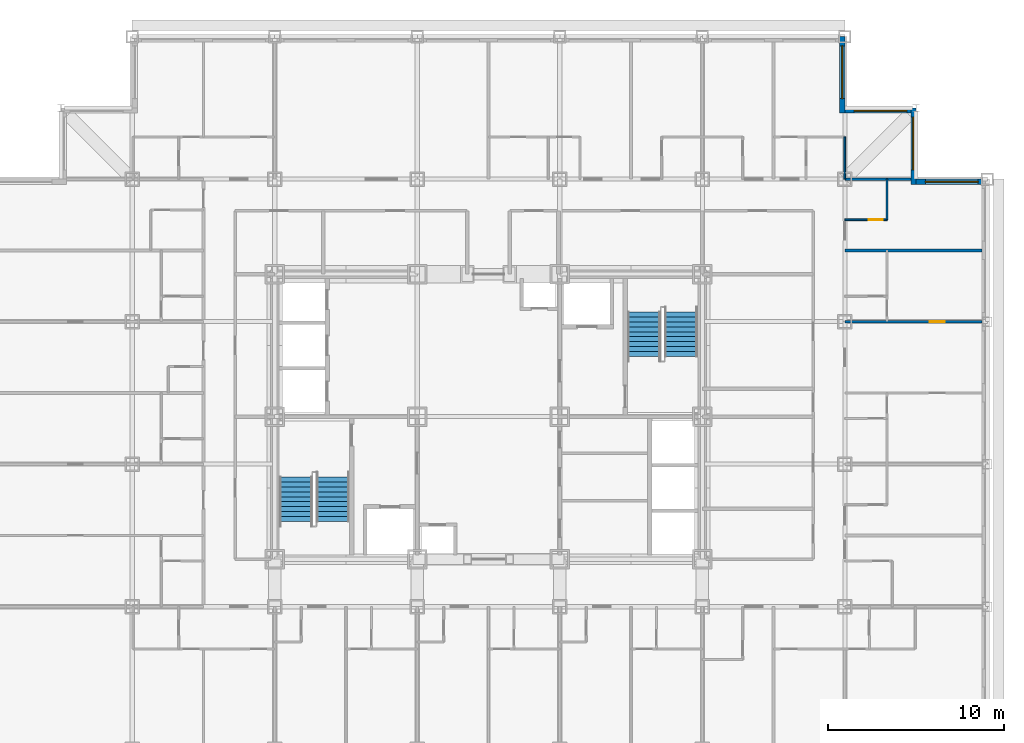
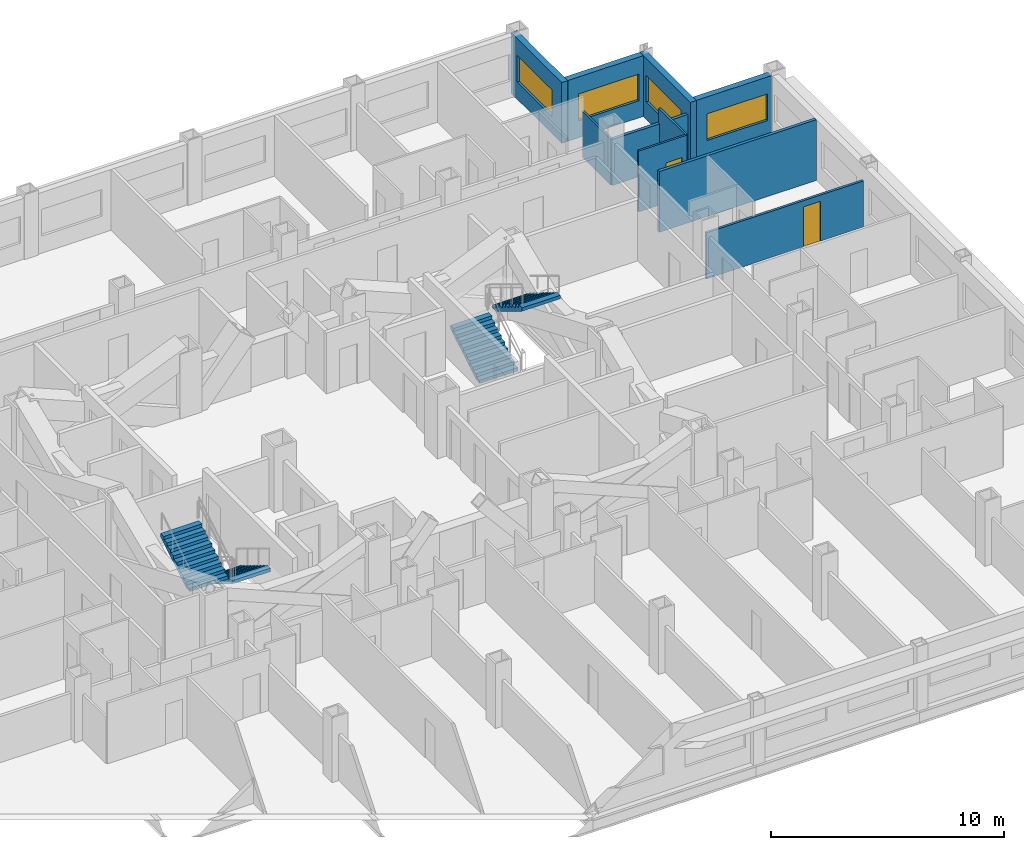
# One storey, part 11 of 12: 10 walls, 4 stair flights, 4 windows, 2 doors, 6 openings, 2 elements without a shape of their own.
"""IFC4 building model written with IfcOpenShell, lengths in metres."""

import ifcopenshell
import ifcopenshell.guid

model = None  # the IFC model being written
_history = None  # IfcOwnerHistory: only IFC2X3 demands one
_inside = {}  # id of a spatial element -> (the spatial element, [elements in it])
_under = {}  # id of a project, library or spatial element -> (it, [spatial elements below it])
_declared = {}  # id of a project -> (the project, [libraries it declares])
_typed = {}  # id of a type object -> (the type object, [elements of that type])
_made_of = {}  # id of a material, layer set ... -> (it, [elements and type objects made of it])


def new_model(schema):
    """Start an empty IFC model of exactly this schema.

    Asked for "IFC4X3", IfcOpenShell would pick the latest addendum, in which some entities
    have other attributes; the version numbers below select the first issue.
    IFC2X3 requires an IfcOwnerHistory on every rooted entity: one is made here for all.
    """
    global model, _history
    if schema == "IFC4X3":
        model = ifcopenshell.file(schema_version=(4, 3, 0, 0))
    else:
        model = ifcopenshell.file(schema=schema)
    _inside.clear()
    _under.clear()
    _declared.clear()
    _typed.clear()
    _made_of.clear()
    _history = None
    if model.schema == "IFC2X3":
        org = make("IfcOrganization", Name="unknown")
        user = make(
            "IfcPersonAndOrganization",
            ThePerson=make("IfcPerson", FamilyName="unknown"),
            TheOrganization=org,
        )
        app = make(
            "IfcApplication",
            ApplicationDeveloper=org,
            Version="unknown",
            ApplicationFullName="unknown",
            ApplicationIdentifier="unknown",
        )
        _history = make(
            "IfcOwnerHistory",
            OwningUser=user,
            OwningApplication=app,
            ChangeAction="ADDED",
            CreationDate=0,
        )
    return model


def make(cls, **values):
    """One entity of the class cls with the attributes given. An attribute that is None is left unset."""
    return model.create_entity(
        cls, **{name: value for name, value in values.items() if value is not None}
    )


def rooted(cls, **values):
    """An entity with a GlobalId (a new one), such as an element, a storey or a relation."""
    return make(cls, GlobalId=ifcopenshell.guid.new(), OwnerHistory=_history, **values)


def si_unit(unit_type, name, prefix=None):
    """IfcSIUnit, for example si_unit("LENGTHUNIT", "METRE", prefix="MILLI")."""
    return make("IfcSIUnit", UnitType=unit_type, Prefix=prefix, Name=name)


def assignment(units):
    """IfcUnitAssignment: the units of a project."""
    return None if units is None else make("IfcUnitAssignment", Units=units)


def point(xyz):
    """IfcCartesianPoint."""
    return None if xyz is None else make("IfcCartesianPoint", Coordinates=xyz)


def direction(xyz):
    """IfcDirection."""
    return None if xyz is None else make("IfcDirection", DirectionRatios=xyz)


def frame(location, z_axis=None, x_axis=None):
    """IfcAxis2Placement3D, a coordinate frame: its origin and axes. An axis left out is left unset."""
    return make(
        "IfcAxis2Placement3D",
        Location=point(location),
        Axis=direction(z_axis),
        RefDirection=direction(x_axis),
    )


def frame_2d(location, x_axis=None):
    """IfcAxis2Placement2D, a coordinate frame in the plane: its origin and x axis."""
    return make(
        "IfcAxis2Placement2D", Location=point(location), RefDirection=direction(x_axis)
    )


def origin():
    """The frame at (0, 0, 0) with its axes left unset."""
    return frame((0.0, 0.0, 0.0))


def place(relative_to, where):
    """IfcLocalPlacement: puts the frame where relative to a parent placement (None: the world)."""
    return make(
        "IfcLocalPlacement", PlacementRelTo=relative_to, RelativePlacement=where
    )


def context(
    kind, dimensions, precision=None, world=None, true_north=None, identifier=None
):
    """IfcGeometricRepresentationContext, for example the 3D "Model" context."""
    return make(
        "IfcGeometricRepresentationContext",
        ContextIdentifier=identifier,
        ContextType=kind,
        CoordinateSpaceDimension=dimensions,
        Precision=precision,
        WorldCoordinateSystem=world,
        TrueNorth=true_north,
    )


def subcontext(parent, identifier, kind, view, scale=None):
    """IfcGeometricRepresentationSubContext, for example "Body" below "Model"."""
    return make(
        "IfcGeometricRepresentationSubContext",
        ContextIdentifier=identifier,
        ContextType=kind,
        ParentContext=parent,
        TargetScale=scale,
        TargetView=view,
    )


def project(units=None, contexts=None):
    """IfcProject with its units and contexts."""
    return rooted(
        "IfcProject",
        Name="project",
        RepresentationContexts=contexts,
        UnitsInContext=assignment(units),
    )


def spatial(cls, under=None, at=None, **own):
    """A site, building, storey or space (cls), placed at a placement, below another one or the project."""
    s = rooted(cls, ObjectPlacement=at, **own)
    if under is not None:
        _under.setdefault(under.id(), (under, []))[1].append(s)
    return s


def point_list(points):
    """IfcCartesianPointList2D or 3D."""
    cls = (
        "IfcCartesianPointList2D" if len(points[0]) == 2 else "IfcCartesianPointList3D"
    )
    return make(cls, CoordList=points)


def profile(cls, at=None, kind="AREA", **sizes):
    """A parametric profile (cls). Its sizes go by their IFC names, for example OverallWidth=200.0."""
    return make(cls, ProfileType=kind, Position=at, **sizes)


def rectangle(**sizes):
    """IfcRectangleProfileDef."""
    return profile("IfcRectangleProfileDef", **sizes)


def extrude(swept, where, along, depth):
    """IfcExtrudedAreaSolid: the profile swept, set in the frame where, extruded along a direction by depth."""
    return make(
        "IfcExtrudedAreaSolid",
        SweptArea=swept,
        Position=where,
        ExtrudedDirection=direction(along),
        Depth=depth,
    )


def polygons(points, faces, closed=None, point_numbers=None):
    """IfcPolygonalFaceSet: a face is its outer loop, then its inner loops; points numbered from 1."""
    made = []
    for loops in faces:
        if len(loops) == 1:
            made.append(make("IfcIndexedPolygonalFace", CoordIndex=loops[0]))
        else:
            made.append(
                make(
                    "IfcIndexedPolygonalFaceWithVoids",
                    CoordIndex=loops[0],
                    InnerCoordIndices=loops[1:],
                )
            )
    return make(
        "IfcPolygonalFaceSet",
        Coordinates=point_list(points),
        Closed=closed,
        Faces=made,
        PnIndex=point_numbers,
    )


def shape(context_of_items, identifier, shape_type, items):
    """IfcShapeRepresentation: the items that make up one representation, for example the "Body"."""
    return make(
        "IfcShapeRepresentation",
        ContextOfItems=context_of_items,
        RepresentationIdentifier=identifier,
        RepresentationType=shape_type,
        Items=items,
    )


def source(mapping_origin, context_of_items, identifier, shape_type, items):
    """IfcRepresentationMap: a shape defined once, which mapped items show again and again."""
    return make(
        "IfcRepresentationMap",
        MappingOrigin=mapping_origin,
        MappedRepresentation=shape(context_of_items, identifier, shape_type, items),
    )


def transform(
    local_origin,
    x_axis=None,
    y_axis=None,
    z_axis=None,
    scale=None,
    scale2=None,
    scale3=None,
    uniform=True,
):
    """IfcCartesianTransformationOperator3D, or its non-uniform kind. x_axis, y_axis, z_axis: its Axis1, 2, 3."""
    if uniform:
        return make(
            "IfcCartesianTransformationOperator3D",
            Axis1=direction(x_axis),
            Axis2=direction(y_axis),
            LocalOrigin=point(local_origin),
            Scale=scale,
            Axis3=direction(z_axis),
        )
    return make(
        "IfcCartesianTransformationOperator3DnonUniform",
        Axis1=direction(x_axis),
        Axis2=direction(y_axis),
        LocalOrigin=point(local_origin),
        Scale=scale,
        Axis3=direction(z_axis),
        Scale2=scale2,
        Scale3=scale3,
    )


def mapped(mapping_source, mapping_target):
    """IfcMappedItem: shows the shape of a source again, moved by a transform."""
    return make(
        "IfcMappedItem", MappingSource=mapping_source, MappingTarget=mapping_target
    )


def material(Name=None, Category=None):
    """IfcMaterial."""
    return make("IfcMaterial", Name=Name, Category=Category)


def layer(
    of_material, thickness, ventilated=None, Name=None, Category=None, Priority=None
):
    """IfcMaterialLayer: one layer of a wall or slab, of a material (None: an air gap)."""
    return make(
        "IfcMaterialLayer",
        Material=of_material,
        LayerThickness=thickness,
        IsVentilated=ventilated,
        Name=Name,
        Category=Category,
        Priority=Priority,
    )


def layer_set(layers, Name=None):
    """IfcMaterialLayerSet."""
    return make("IfcMaterialLayerSet", MaterialLayers=layers, LayerSetName=Name)


def made_of(thing, what):
    """Note that an element or type object is made of a material, layer set ...; save() writes the relation."""
    if what is not None:
        _made_of.setdefault(what.id(), (what, []))[1].append(thing)
    return thing


def type_object(cls, material=None, **own):
    """A type object (cls), such as IfcWallType, which elements share."""
    return made_of(rooted(cls, **own), material)


def element(
    cls,
    number,
    at=None,
    inside=None,
    cuts=None,
    type_object=None,
    material=None,
    context=None,
    identifier="Body",
    shape_type=None,
    held_by="IfcProductDefinitionShape",
    body=None,
    shapes=None,
    **own,
):
    """One element of the class cls, such as IfcWall. Its Tag is "e" and its number.

    at: its placement. inside: the storey or other place that contains it. cuts: it is an
    opening in that element (IfcRelVoidsElement). A single representation is given by context,
    identifier, shape_type and body (its items); several are given by shapes. held_by: the class
    of the entity that holds the representations. save() writes the other relations.
    """
    e = rooted(cls, Tag="e%d" % number, ObjectPlacement=at, **own)
    if body is not None:
        shapes = [shape(context, identifier, shape_type, body)]
    if shapes is not None:
        e.Representation = make(held_by, Representations=shapes)
    if inside is not None:
        _inside.setdefault(inside.id(), (inside, []))[1].append(e)
    if cuts is not None:
        rooted(
            "IfcRelVoidsElement", RelatingBuildingElement=cuts, RelatedOpeningElement=e
        )
    if type_object is not None:
        _typed.setdefault(type_object.id(), (type_object, []))[1].append(e)
    return made_of(e, material)


def fill(opening, filler):
    """IfcRelFillsElement: the door or window that sits in an opening."""
    return rooted(
        "IfcRelFillsElement",
        RelatingOpeningElement=opening,
        RelatedBuildingElement=filler,
    )


def aggregate(whole, parts):
    """IfcRelAggregates: a whole, such as a stair, and the parts it consists of."""
    return rooted("IfcRelAggregates", RelatingObject=whole, RelatedObjects=parts)


def save(model, path):
    """Write the relations noted so far, then the file.

    IfcRelAggregates (storeys below a building ...), IfcRelContainedInSpatialStructure (elements
    in a storey), IfcRelDefinesByType, IfcRelAssociatesMaterial and IfcRelDeclares: one each for
    every whole, place, type object, material and project.
    """
    for whole, parts in _under.values():
        aggregate(whole, parts)
    for where, things in _inside.values():
        rooted(
            "IfcRelContainedInSpatialStructure",
            RelatedElements=things,
            RelatingStructure=where,
        )
    for kind, things in _typed.values():
        rooted("IfcRelDefinesByType", RelatedObjects=things, RelatingType=kind)
    for what, things in _made_of.values():
        rooted("IfcRelAssociatesMaterial", RelatedObjects=things, RelatingMaterial=what)
    for by, libraries in _declared.values():
        rooted("IfcRelDeclares", RelatingContext=by, RelatedDefinitions=libraries)
    model.write(path)


model = new_model("IFC4")

# Units and contexts
model_context = context("Model", 3, precision=1e-05, world=origin(), true_north=direction((0.0, 1.0)))
body_context = subcontext(model_context, "Body", "Model", "MODEL_VIEW")
ifc_project = project(units=[si_unit("LENGTHUNIT", "METRE"), si_unit("AREAUNIT", "SQUARE_METRE"), si_unit("VOLUMEUNIT", "CUBIC_METRE"), si_unit("PLANEANGLEUNIT", "RADIAN"), si_unit("MASSUNIT", "GRAM", prefix="KILO")], contexts=[model_context])

# Site, building, storey
site_placement = place(None, origin())
site = spatial("IfcSite", under=ifc_project, at=site_placement, CompositionType="ELEMENT")
building_placement = place(site_placement, origin())
building = spatial("IfcBuilding", under=site, at=building_placement, Name="Kopane Lantern Tower", CompositionType="ELEMENT")
storey_placement = place(building_placement, frame((0.0, 0.0, 144.199951171875)))
storey = spatial("IfcBuildingStorey", under=building, at=storey_placement, Name="L37", CompositionType="ELEMENT", Elevation=144.199951171875)

# Wall, opening, door
ifc_material_1 = material(Name="Gypsum board on steel studs", Category="steel")
ifc_layer_1 = layer(ifc_material_1, 0.1201171875)
ifc_layer_set_1 = layer_set([ifc_layer_1], Name="APARTMENT INTERNAL WALL 120")
wall_type_1 = type_object("IfcWallType", Name="APARTMENT INTERNAL WALL 120", PredefinedType="PARTITIONING", material=ifc_layer_set_1)
wall_1_placement = place(storey_placement, frame((48.60009765625, 37.800048828125, 0.0), z_axis=(0.0, 0.0, 1.0), x_axis=(1.0, 0.0, 0.0)))
wall_1 = element("IfcWall", 1, at=wall_1_placement, inside=storey, type_object=wall_type_1, Name="Apartment Internal Wall 120 L37", PredefinedType="PARTITIONING", context=body_context, shape_type="SweptSolid", body=[
    extrude(rectangle(XDim=7.7998046875, YDim=0.1201171875, at=frame_2d((3.89990234375, 0.0))), origin(), (0.0, 0.0, 1.0), 2.420166015625),
])
opening_1_placement = place(wall_1_placement, frame((4.824951171875, 0.0, 0.0)))
opening_1 = element("IfcOpeningElement", 2, at=opening_1_placement, cuts=wall_1, Name="Opening L37-053", PredefinedType="OPENING", context=body_context, shape_type="SweptSolid", body=[
    extrude(rectangle(XDim=0.85009765625, YDim=2.10009765625, at=frame_2d((0.425048828125, 1.050048828125))), frame((0.0, 0.070068359375, 0.0), z_axis=(0.0, -1.0, 0.0), x_axis=(1.0, 0.0, 0.0)), (0.0, 0.0, 1.0), 0.14013671875),
])
ifc_material_2 = material(Name="Timber door set", Category="wood")
door_type_1 = type_object("IfcDoorType", Name="DOOR D4 850x2100", OperationType="SINGLE_SWING_LEFT", PredefinedType="DOOR", material=ifc_material_2)
door_1_placement = place(opening_1_placement, origin())
door_1 = element("IfcDoor", 3, at=door_1_placement, inside=storey, type_object=door_type_1, Name="Door L37-053", OperationType="SINGLE_SWING_LEFT", OverallHeight=2.10009765625, OverallWidth=0.85009765625, PredefinedType="DOOR", context=body_context, shape_type="SweptSolid", body=[
    extrude(rectangle(XDim=0.85009765625, YDim=2.10009765625, at=frame_2d((0.425048828125, 1.050048828125))), frame((0.0, 0.02490234375, 0.0), z_axis=(0.0, -1.0, 0.0), x_axis=(1.0, 0.0, 0.0)), (0.0, 0.0, 1.0), 0.050048828125),
])
fill(opening_1, door_1)

# Wall
ifc_material_3 = material(Name="Moisture-resistant board on steel studs", Category="steel")
ifc_layer_2 = layer(ifc_material_3, 0.10009765625)
ifc_layer_set_2 = layer_set([ifc_layer_2], Name="BATHROOM WALL 100")
wall_type_2 = type_object("IfcWallType", Name="BATHROOM WALL 100", PredefinedType="PARTITIONING", material=ifc_layer_set_2)
wall_2_placement = place(storey_placement, frame((51.0, 43.60009765625, 0.0), z_axis=(0.0, 0.0, 1.0), x_axis=(0.0, 1.0, 0.0)))
element("IfcWall", 4, at=wall_2_placement, inside=storey, type_object=wall_type_2, Name="Bathroom Wall 100 L37", PredefinedType="PARTITIONING", context=body_context, shape_type="SweptSolid", body=[
    extrude(rectangle(XDim=2.2998046875, YDim=0.10009765625, at=frame_2d((1.14990234375, 0.0))), origin(), (0.0, 0.0, 1.0), 3.18994140625),
])

# Wall, opening, door
wall_3_placement = place(storey_placement, frame((48.60009765625, 43.60009765625, 0.0), z_axis=(0.0, 0.0, 1.0), x_axis=(1.0, 0.0, 0.0)))
wall_3 = element("IfcWall", 5, at=wall_3_placement, inside=storey, type_object=wall_type_2, Name="Bathroom Wall 100 L37", PredefinedType="PARTITIONING", context=body_context, shape_type="SweptSolid", body=[
    extrude(rectangle(XDim=2.39990234375, YDim=0.10009765625, at=frame_2d((1.199951171875, 0.0))), origin(), (0.0, 0.0, 1.0), 3.18994140625),
])
opening_2_placement = place(wall_3_placement, frame((1.35009765625, 0.0, 0.0)))
opening_2 = element("IfcOpeningElement", 6, at=opening_2_placement, cuts=wall_3, Name="Opening L37-054", PredefinedType="OPENING", context=body_context, shape_type="SweptSolid", body=[
    extrude(rectangle(XDim=0.800048828125, YDim=2.10009765625, at=frame_2d((0.39990234375, 1.050048828125))), frame((0.0, 0.06005859375, 0.0), z_axis=(0.0, -1.0, 0.0), x_axis=(1.0, 0.0, 0.0)), (0.0, 0.0, 1.0), 0.1201171875),
])
ifc_material_4 = material(Name="Timber door set", Category="wood")
door_type_2 = type_object("IfcDoorType", Name="DOOR D2 800x2100", OperationType="SINGLE_SWING_LEFT", PredefinedType="DOOR", material=ifc_material_4)
door_2_placement = place(opening_2_placement, origin())
door_2 = element("IfcDoor", 7, at=door_2_placement, inside=storey, type_object=door_type_2, Name="Door L37-054", OperationType="SINGLE_SWING_RIGHT", OverallHeight=2.10009765625, OverallWidth=0.800048828125, PredefinedType="DOOR", context=body_context, shape_type="SweptSolid", body=[
    extrude(rectangle(XDim=0.800048828125, YDim=2.10009765625, at=frame_2d((0.39990234375, 1.050048828125))), frame((0.0, 0.02490234375, 0.0), z_axis=(0.0, -1.0, 0.0), x_axis=(1.0, 0.0, 0.0)), (0.0, 0.0, 1.0), 0.050048828125),
])
fill(opening_2, door_2)

# Walls
wall_4_placement = place(storey_placement, frame((48.60009765625, 45.89990234375, 0.0), z_axis=(0.0, 0.0, 1.0), x_axis=(0.0, 1.0, 0.0)))
element("IfcWall", 8, at=wall_4_placement, inside=storey, type_object=wall_type_2, Name="Bathroom Wall 100 L37", PredefinedType="PARTITIONING", context=body_context, shape_type="SweptSolid", body=[
    extrude(rectangle(XDim=2.400146484375, YDim=0.10009765625, at=frame_2d((1.2001953125, 0.0))), origin(), (0.0, 0.0, 1.0), 2.420166015625),
])
ifc_material_5 = material(Name="Gypsum board on steel studs", Category="steel")
ifc_layer_3 = layer(ifc_material_5, 0.14990234375)
ifc_layer_set_3 = layer_set([ifc_layer_3], Name="DEMISING WALL 150 EI 60")
wall_type_3 = type_object("IfcWallType", Name="DEMISING WALL 150 EI 60", PredefinedType="PARTITIONING", material=ifc_layer_set_3)
wall_5_placement = place(storey_placement, frame((48.60009765625, 41.85009765625, 0.0), z_axis=(0.0, 0.0, 1.0), x_axis=(1.0, 0.0, 0.0)))
element("IfcWall", 9, at=wall_5_placement, inside=storey, type_object=wall_type_3, Name="Demising Wall 150 Ei 60 L37", PredefinedType="PARTITIONING", context=body_context, shape_type="SweptSolid", body=[
    extrude(rectangle(XDim=7.7998046875, YDim=0.14990234375, at=frame_2d((3.89990234375, 0.0))), origin(), (0.0, 0.0, 1.0), 3.18994140625),
])
wall_6_placement = place(storey_placement, frame((48.60009765625, 45.89990234375, 0.0), z_axis=(0.0, 0.0, 1.0), x_axis=(1.0, 0.0, 0.0)))
element("IfcWall", 10, at=wall_6_placement, inside=storey, type_object=wall_type_3, Name="Demising Wall 150 Ei 60 L37", PredefinedType="PARTITIONING", context=body_context, shape_type="SweptSolid", body=[
    extrude(rectangle(XDim=3.75, YDim=0.14990234375, at=frame_2d((1.875, 0.0))), origin(), (0.0, 0.0, 1.0), 2.420166015625),
])

# Wall, opening, window
ifc_material_6 = material(Name="Terracotta rainscreen on light steel framing", Category="masonry")
ifc_layer_4 = layer(ifc_material_6, 0.300048828125)
ifc_layer_set_4 = layer_set([ifc_layer_4], Name="EXTERNAL WALL EW1 300 TERRACOTTA")
wall_type_4 = type_object("IfcWallType", Name="EXTERNAL WALL EW1 300 TERRACOTTA", PredefinedType="SOLIDWALL", material=ifc_layer_set_4)
wall_7_placement = place(storey_placement, frame((56.39990234375, 45.75, 0.0), z_axis=(0.0, 0.0, 1.0), x_axis=(-1.0, 0.0, 0.0)))
wall_7 = element("IfcWall", 11, at=wall_7_placement, inside=storey, type_object=wall_type_4, Name="External wall N L37", PredefinedType="SOLIDWALL", context=body_context, shape_type="SweptSolid", body=[
    extrude(rectangle(XDim=3.75, YDim=0.300048828125, at=frame_2d((1.875, 0.0))), origin(), (0.0, 0.0, 1.0), 3.18994140625),
])
opening_3_placement = place(wall_7_placement, frame((0.22509765625, 0.0, 0.89990234375)))
opening_3 = element("IfcOpeningElement", 12, at=opening_3_placement, cuts=wall_7, Name="Opening WR300140", PredefinedType="OPENING", context=body_context, shape_type="SweptSolid", body=[
    extrude(rectangle(XDim=3.0, YDim=1.39990234375, at=frame_2d((1.5, 0.699951171875))), frame((0.0, 0.159912109375, 0.0), z_axis=(0.0, -1.0, 0.0), x_axis=(1.0, 0.0, 0.0)), (0.0, 0.0, 1.0), 0.320068359375),
])
ifc_material_7 = material(Name="Aluminium and clear glass", Category="aluminium")
window_type = type_object("IfcWindowType", Name="RIBBON WINDOW WR300140 3000x1400", PartitioningType="SINGLE_PANEL", PredefinedType="WINDOW", material=ifc_material_7)
window_1_placement = place(opening_3_placement, origin())
window_1 = element("IfcWindow", 13, at=window_1_placement, inside=storey, type_object=window_type, Name="Window N L37", OverallHeight=1.39990234375, OverallWidth=3.0, PartitioningType="SINGLE_PANEL", PredefinedType="WINDOW", context=body_context, shape_type="SweptSolid", body=[
    extrude(rectangle(XDim=3.0, YDim=1.39990234375, at=frame_2d((1.5, 0.699951171875))), frame((0.0, 0.030029296875, 0.0), z_axis=(0.0, -1.0, 0.0), x_axis=(1.0, 0.0, 0.0)), (0.0, 0.0, 1.0), 0.06005859375),
])
fill(opening_3, window_1)

wall_8_placement = place(storey_placement, frame((52.5, 45.60009765625, 0.0), z_axis=(0.0, 0.0, 1.0), x_axis=(0.0, 1.0, 0.0)))
wall_8 = element("IfcWall", 14, at=wall_8_placement, inside=storey, type_object=wall_type_4, Name="External wall E L37", PredefinedType="SOLIDWALL", context=body_context, shape_type="SweptSolid", body=[
    extrude(rectangle(XDim=4.349853515625, YDim=0.300048828125, at=frame_2d((2.1748046875, 0.0))), origin(), (0.0, 0.0, 1.0), 3.18994140625),
])
opening_4_placement = place(wall_8_placement, frame((0.824951171875, 0.0, 0.89990234375)))
opening_4 = element("IfcOpeningElement", 15, at=opening_4_placement, cuts=wall_8, Name="Opening WR300140", PredefinedType="OPENING", context=body_context, shape_type="SweptSolid", body=[
    extrude(rectangle(XDim=3.0, YDim=1.39990234375, at=frame_2d((1.5, 0.699951171875))), frame((0.0, 0.159912109375, 0.0), z_axis=(0.0, -1.0, 0.0), x_axis=(1.0, 0.0, 0.0)), (0.0, 0.0, 1.0), 0.320068359375),
])
window_2_placement = place(opening_4_placement, origin())
window_2 = element("IfcWindow", 16, at=window_2_placement, inside=storey, type_object=window_type, Name="Window E L37", OverallHeight=1.39990234375, OverallWidth=3.0, PartitioningType="SINGLE_PANEL", PredefinedType="WINDOW", context=body_context, shape_type="SweptSolid", body=[
    extrude(rectangle(XDim=3.0, YDim=1.39990234375, at=frame_2d((1.5, 0.699951171875))), frame((0.0, 0.030029296875, 0.0), z_axis=(0.0, -1.0, 0.0), x_axis=(1.0, 0.0, 0.0)), (0.0, 0.0, 1.0), 0.06005859375),
])
fill(opening_4, window_2)

wall_9_placement = place(storey_placement, frame((52.35009765625, 49.800048828125, 0.0), z_axis=(0.0, 0.0, 1.0), x_axis=(-1.0, 0.0, 0.0)))
wall_9 = element("IfcWall", 17, at=wall_9_placement, inside=storey, type_object=wall_type_4, Name="External wall N L37", PredefinedType="SOLIDWALL", context=body_context, shape_type="SweptSolid", body=[
    extrude(rectangle(XDim=3.75, YDim=0.300048828125, at=frame_2d((1.875, 0.0))), origin(), (0.0, 0.0, 1.0), 3.18994140625),
])
opening_5_placement = place(wall_9_placement, frame((0.22509765625, 0.0, 0.89990234375)))
opening_5 = element("IfcOpeningElement", 18, at=opening_5_placement, cuts=wall_9, Name="Opening WR300140", PredefinedType="OPENING", context=body_context, shape_type="SweptSolid", body=[
    extrude(rectangle(XDim=3.0, YDim=1.39990234375, at=frame_2d((1.5, 0.699951171875))), frame((0.0, 0.159912109375, 0.0), z_axis=(0.0, -1.0, 0.0), x_axis=(1.0, 0.0, 0.0)), (0.0, 0.0, 1.0), 0.320068359375),
])
window_3_placement = place(opening_5_placement, origin())
window_3 = element("IfcWindow", 19, at=window_3_placement, inside=storey, type_object=window_type, Name="Window N L37", OverallHeight=1.39990234375, OverallWidth=3.0, PartitioningType="SINGLE_PANEL", PredefinedType="WINDOW", context=body_context, shape_type="SweptSolid", body=[
    extrude(rectangle(XDim=3.0, YDim=1.39990234375, at=frame_2d((1.5, 0.699951171875))), frame((0.0, 0.030029296875, 0.0), z_axis=(0.0, -1.0, 0.0), x_axis=(1.0, 0.0, 0.0)), (0.0, 0.0, 1.0), 0.06005859375),
])
fill(opening_5, window_3)

wall_10_placement = place(storey_placement, frame((48.449951171875, 49.64990234375, 0.0), z_axis=(0.0, 0.0, 1.0), x_axis=(0.0, 1.0, 0.0)))
wall_10 = element("IfcWall", 20, at=wall_10_placement, inside=storey, type_object=wall_type_4, Name="External wall E L37", PredefinedType="SOLIDWALL", context=body_context, shape_type="SweptSolid", body=[
    extrude(rectangle(XDim=4.35009765625, YDim=0.300048828125, at=frame_2d((2.175048828125, 0.0))), origin(), (0.0, 0.0, 1.0), 3.18994140625),
])
opening_6_placement = place(wall_10_placement, frame((0.824951171875, 0.0, 0.89990234375)))
opening_6 = element("IfcOpeningElement", 21, at=opening_6_placement, cuts=wall_10, Name="Opening WR300140", PredefinedType="OPENING", context=body_context, shape_type="SweptSolid", body=[
    extrude(rectangle(XDim=3.0, YDim=1.39990234375, at=frame_2d((1.5, 0.699951171875))), frame((0.0, 0.159912109375, 0.0), z_axis=(0.0, -1.0, 0.0), x_axis=(1.0, 0.0, 0.0)), (0.0, 0.0, 1.0), 0.320068359375),
])
window_4_placement = place(opening_6_placement, origin())
window_4 = element("IfcWindow", 22, at=window_4_placement, inside=storey, type_object=window_type, Name="Window E L37", OverallHeight=1.39990234375, OverallWidth=3.0, PartitioningType="SINGLE_PANEL", PredefinedType="WINDOW", context=body_context, shape_type="SweptSolid", body=[
    extrude(rectangle(XDim=3.0, YDim=1.39990234375, at=frame_2d((1.5, 0.699951171875))), frame((0.0, 0.030029296875, 0.0), z_axis=(0.0, -1.0, 0.0), x_axis=(1.0, 0.0, 0.0)), (0.0, 0.0, 1.0), 0.06005859375),
])
fill(opening_6, window_4)

# Stair, stair flights
ifc_material_8 = material(Name="Steel S355JR", Category="steel")
stair_type = type_object("IfcStairType", Name="EXIT STAIR 1900 HALF TURN", PredefinedType="HALF_TURN_STAIR", material=ifc_material_8)
stair_1_placement = place(storey_placement, origin())
stair_1 = element("IfcStair", 23, at=stair_1_placement, inside=storey, type_object=stair_type, Name="Exit stair ST1 L37", PredefinedType="HALF_TURN_STAIR")
ifc_material_9 = material(Name="Steel S355JR", Category="steel")
stair_flight_type = type_object("IfcStairFlightType", Name="STAIR FLIGHT 1900 STEEL", PredefinedType="STRAIGHT", material=ifc_material_9)
shared_shape = source(origin(), body_context, "Body", "Tessellation", [
    polygons([(2.520019531, 0.949951172, 1.530029297), (2.239990234, 0.949951172, 1.530029297), (2.239990234, -0.949951172, 1.530029297), (2.520019531, -0.949951172, 1.530029297), (0.288818359, 0.949951172, 0.0), (2.520019531, 0.949951172, 1.354736328), (2.520019531, -0.949951172, 1.354736328), (0.288818359, -0.949951172, 0.0), (0.0, 0.949951172, 0.0), (0.0, -0.949951172, 0.0), (0.280029297, 0.949951172, 0.169921875), (0.0, 0.949951172, 0.169921875), (0.0, -0.949951172, 0.169921875), (0.280029297, -0.949951172, 0.169921875), (0.280029297, 0.949951172, 0.340087891), (0.280029297, -0.949951172, 0.340087891), (0.560058594, 0.949951172, 0.340087891), (0.560058594, -0.949951172, 0.340087891), (0.560058594, 0.949951172, 0.510009766), (0.560058594, -0.949951172, 0.510009766), (0.840087891, 0.949951172, 0.510009766), (0.840087891, -0.949951172, 0.510009766), (0.840087891, 0.949951172, 0.679931641), (0.840087891, -0.949951172, 0.679931641), (1.120117188, 0.949951172, 0.679931641), (1.120117188, -0.949951172, 0.679931641), (1.120117188, 0.949951172, 0.850097656), (1.120117188, -0.949951172, 0.850097656), (1.399902344, 0.949951172, 0.850097656), (1.399902344, -0.949951172, 0.850097656), (1.399902344, 0.949951172, 1.020019531), (1.399902344, -0.949951172, 1.020019531), (1.679931641, 0.949951172, 1.020019531), (1.679931641, -0.949951172, 1.020019531), (1.679931641, 0.949951172, 1.189941406), (1.679931641, -0.949951172, 1.189941406), (1.959960938, 0.949951172, 1.189941406), (1.959960938, -0.949951172, 1.189941406), (1.959960938, 0.949951172, 1.360107422), (1.959960938, -0.949951172, 1.360107422), (2.239990234, 0.949951172, 1.360107422), (2.239990234, -0.949951172, 1.360107422), (0.0, 0.0, 0.004592483), (0.0, 0.0, 0.009184966), (0.0, 0.0, 0.013777449), (0.0, 0.0, 0.018369932), (0.0, 0.0, 0.022962416), (0.0, 0.0, 0.027554899), (0.0, 0.0, 0.032147382), (0.0, 0.0, 0.036739865), (0.0, 0.0, 0.041332348), (0.0, 0.0, 0.045924831), (0.0, 0.0, 0.050517314), (0.0, 0.0, 0.055109797), (0.0, 0.0, 0.05970228), (0.0, 0.0, 0.064294764), (0.0, 0.0, 0.068887247), (0.0, 0.0, 0.07347973), (0.0, 0.0, 0.078072213), (0.0, 0.0, 0.082664696), (0.0, 0.0, 0.087257179), (0.0, 0.0, 0.091849662), (0.0, 0.0, 0.096442145), (0.0, 0.0, 0.101034628), (0.0, 0.0, 0.105627111), (0.0, 0.0, 0.110219595), (0.0, 0.0, 0.114812078), (0.0, 0.0, 0.119404561), (0.0, 0.0, 0.123997044), (0.0, 0.0, 0.128589527), (0.0, 0.0, 0.13318201), (0.0, 0.0, 0.137774493), (0.0, 0.0, 0.142366976), (0.0, 0.0, 0.146959459), (0.0, 0.0, 0.151551943), (0.0, 0.0, 0.156144426), (0.0, 0.0, 0.160736909), (0.0, 0.0, 0.165329392), (2.520019531, 0.0, 1.359473976), (2.520019531, 0.0, 1.364211624), (2.520019531, 0.0, 1.368949272), (2.520019531, 0.0, 1.373686919), (2.520019531, 0.0, 1.378424567), (2.520019531, 0.0, 1.383162215), (2.520019531, 0.0, 1.387899863), (2.520019531, 0.0, 1.392637511), (2.520019531, 0.0, 1.397375158), (2.520019531, 0.0, 1.402112806), (2.520019531, 0.0, 1.406850454), (2.520019531, 0.0, 1.411588102), (2.520019531, 0.0, 1.41632575), (2.520019531, 0.0, 1.421063397), (2.520019531, 0.0, 1.425801045), (2.520019531, 0.0, 1.430538693), (2.520019531, 0.0, 1.435276341), (2.520019531, 0.0, 1.440013989), (2.520019531, 0.0, 1.444751636), (2.520019531, 0.0, 1.449489284), (2.520019531, 0.0, 1.454226932), (2.520019531, 0.0, 1.45896458), (2.520019531, 0.0, 1.463702228), (2.520019531, 0.0, 1.468439875), (2.520019531, 0.0, 1.473177523), (2.520019531, 0.0, 1.477915171), (2.520019531, 0.0, 1.482652819), (2.520019531, 0.0, 1.487390467), (2.520019531, 0.0, 1.492128114), (2.520019531, 0.0, 1.496865762), (2.520019531, 0.0, 1.50160341), (2.520019531, 0.0, 1.506341058), (2.520019531, 0.0, 1.511078706), (2.520019531, 0.0, 1.515816353), (2.520019531, 0.0, 1.520554001), (2.520019531, 0.0, 1.525291649)], [[[1, 2, 3]], [[1, 3, 4]], [[5, 6, 7]], [[5, 7, 8]], [[9, 5, 8]], [[9, 8, 10]], [[11, 12, 13]], [[11, 13, 14]], [[15, 11, 14]], [[15, 14, 16]], [[17, 15, 16]], [[17, 16, 18]], [[19, 17, 18]], [[19, 18, 20]], [[21, 19, 20]], [[21, 20, 22]], [[23, 21, 22]], [[23, 22, 24]], [[25, 23, 24]], [[25, 24, 26]], [[27, 25, 26]], [[27, 26, 28]], [[29, 27, 28]], [[29, 28, 30]], [[31, 29, 30]], [[31, 30, 32]], [[33, 31, 32]], [[33, 32, 34]], [[35, 33, 34]], [[35, 34, 36]], [[37, 35, 36]], [[37, 36, 38]], [[39, 37, 38]], [[39, 38, 40]], [[41, 39, 40]], [[41, 40, 42]], [[2, 41, 42]], [[2, 42, 3]], [[41, 1, 6]], [[37, 41, 6]], [[2, 1, 41]], [[33, 37, 6]], [[39, 41, 37]], [[35, 37, 33]], [[31, 33, 29]], [[5, 21, 25]], [[27, 29, 25]], [[17, 21, 5]], [[23, 25, 21]], [[11, 17, 5]], [[19, 21, 17]], [[9, 11, 5]], [[15, 17, 11]], [[12, 11, 9]], [[6, 5, 25]], [[6, 25, 29]], [[6, 29, 33]], [[7, 4, 42]], [[7, 42, 38]], [[42, 4, 3]], [[7, 38, 34]], [[38, 42, 40]], [[34, 38, 36]], [[30, 34, 32]], [[26, 22, 8]], [[26, 30, 28]], [[8, 22, 18]], [[22, 26, 24]], [[8, 18, 14]], [[18, 22, 20]], [[8, 14, 10]], [[14, 18, 16]], [[10, 14, 13]], [[26, 8, 7]], [[30, 26, 7]], [[34, 30, 7]], [[10, 43, 9]], [[10, 44, 43]], [[9, 43, 44]], [[10, 45, 44]], [[9, 44, 45]], [[10, 46, 45]], [[9, 45, 46]], [[10, 47, 46]], [[9, 46, 47]], [[10, 48, 47]], [[9, 47, 48]], [[10, 49, 48]], [[9, 48, 49]], [[10, 50, 49]], [[9, 49, 50]], [[10, 51, 50]], [[9, 50, 51]], [[10, 52, 51]], [[9, 51, 52]], [[10, 53, 52]], [[9, 52, 53]], [[10, 54, 53]], [[9, 53, 54]], [[10, 55, 54]], [[9, 54, 55]], [[10, 56, 55]], [[9, 55, 56]], [[10, 57, 56]], [[9, 56, 57]], [[10, 58, 57]], [[9, 57, 58]], [[10, 59, 58]], [[9, 58, 59]], [[10, 60, 59]], [[9, 59, 60]], [[10, 61, 60]], [[9, 60, 61]], [[10, 62, 61]], [[9, 61, 62]], [[10, 63, 62]], [[9, 62, 63]], [[10, 64, 63]], [[9, 63, 64]], [[10, 65, 64]], [[9, 64, 65]], [[10, 66, 65]], [[9, 65, 66]], [[10, 67, 66]], [[9, 66, 67]], [[10, 68, 67]], [[9, 67, 68]], [[10, 69, 68]], [[9, 68, 69]], [[10, 70, 69]], [[9, 69, 70]], [[10, 71, 70]], [[9, 70, 71]], [[10, 72, 71]], [[9, 71, 72]], [[10, 73, 72]], [[9, 72, 73]], [[10, 74, 73]], [[9, 73, 74]], [[10, 75, 74]], [[9, 74, 75]], [[10, 76, 75]], [[9, 75, 76]], [[10, 77, 76]], [[9, 76, 77]], [[10, 78, 77]], [[9, 77, 78]], [[10, 13, 78]], [[78, 13, 12]], [[9, 78, 12]], [[7, 6, 79]], [[7, 79, 80]], [[6, 80, 79]], [[7, 80, 81]], [[6, 81, 80]], [[7, 81, 82]], [[6, 82, 81]], [[7, 82, 83]], [[6, 83, 82]], [[7, 83, 84]], [[6, 84, 83]], [[7, 84, 85]], [[6, 85, 84]], [[7, 85, 86]], [[6, 86, 85]], [[7, 86, 87]], [[6, 87, 86]], [[7, 87, 88]], [[6, 88, 87]], [[7, 88, 89]], [[6, 89, 88]], [[7, 89, 90]], [[6, 90, 89]], [[7, 90, 91]], [[6, 91, 90]], [[7, 91, 92]], [[6, 92, 91]], [[7, 92, 93]], [[6, 93, 92]], [[7, 93, 94]], [[6, 94, 93]], [[7, 94, 95]], [[6, 95, 94]], [[7, 95, 96]], [[6, 96, 95]], [[7, 96, 97]], [[6, 97, 96]], [[7, 97, 98]], [[6, 98, 97]], [[7, 98, 99]], [[6, 99, 98]], [[7, 99, 100]], [[6, 100, 99]], [[7, 100, 101]], [[6, 101, 100]], [[7, 101, 102]], [[6, 102, 101]], [[7, 102, 103]], [[6, 103, 102]], [[7, 103, 104]], [[6, 104, 103]], [[7, 104, 105]], [[6, 105, 104]], [[7, 105, 106]], [[6, 106, 105]], [[7, 106, 107]], [[6, 107, 106]], [[7, 107, 108]], [[6, 108, 107]], [[7, 108, 109]], [[6, 109, 108]], [[7, 109, 110]], [[6, 110, 109]], [[7, 110, 111]], [[6, 111, 110]], [[7, 111, 112]], [[6, 112, 111]], [[7, 112, 113]], [[6, 113, 112]], [[7, 113, 114]], [[6, 114, 113]], [[7, 114, 4]], [[114, 1, 4]], [[6, 1, 114]]], closed=True),
])
stair_flight_1_placement = place(storey_placement, frame((19.5, 28.969970703125, 0.0), z_axis=(0.0, 0.0, 1.0), x_axis=(0.0, -1.0, 0.0)))
stair_flight_1 = element("IfcStairFlight", 24, at=stair_flight_1_placement, type_object=stair_flight_type, Name="ST1 flight 1", NumberOfRisers=10, NumberOfTreads=9, PredefinedType="STRAIGHT", RiserHeight=0.17, TreadLength=0.28, context=body_context, shape_type="MappedRepresentation", body=[
    mapped(shared_shape, transform((0.0, 0.0, 0.0))),
])
stair_flight_2_placement = place(storey_placement, frame((17.39990234375, 26.449951171875, 1.699951171875), z_axis=(0.0, 0.0, 1.0), x_axis=(0.0, 1.0, 0.0)))
stair_flight_2 = element("IfcStairFlight", 25, at=stair_flight_2_placement, type_object=stair_flight_type, Name="ST1 flight 2", NumberOfRisers=10, NumberOfTreads=9, PredefinedType="STRAIGHT", RiserHeight=0.17, TreadLength=0.28, context=body_context, shape_type="MappedRepresentation", body=[
    mapped(shared_shape, transform((0.0, 0.0, 0.0))),
])
aggregate(stair_1, [stair_flight_1, stair_flight_2])

stair_2_placement = place(storey_placement, origin())
stair_2 = element("IfcStair", 26, at=stair_2_placement, inside=storey, type_object=stair_type, Name="Exit stair ST2 L37", PredefinedType="HALF_TURN_STAIR")
stair_flight_3_placement = place(storey_placement, frame((37.199951171875, 35.830078125, 0.0), z_axis=(0.0, 0.0, 1.0), x_axis=(0.0, 1.0, 0.0)))
stair_flight_3 = element("IfcStairFlight", 27, at=stair_flight_3_placement, type_object=stair_flight_type, Name="ST2 flight 1", NumberOfRisers=10, NumberOfTreads=9, PredefinedType="STRAIGHT", RiserHeight=0.17, TreadLength=0.28, context=body_context, shape_type="MappedRepresentation", body=[
    mapped(shared_shape, transform((0.0, 0.0, 0.0))),
])
stair_flight_4_placement = place(storey_placement, frame((39.300048828125, 38.35009765625, 1.699951171875), z_axis=(0.0, 0.0, 1.0), x_axis=(0.0, -1.0, 0.0)))
stair_flight_4 = element("IfcStairFlight", 28, at=stair_flight_4_placement, type_object=stair_flight_type, Name="ST2 flight 2", NumberOfRisers=10, NumberOfTreads=9, PredefinedType="STRAIGHT", RiserHeight=0.17, TreadLength=0.28, context=body_context, shape_type="MappedRepresentation", body=[
    mapped(shared_shape, transform((0.0, 0.0, 0.0))),
])
aggregate(stair_2, [stair_flight_3, stair_flight_4])

save(model, "model.ifc")
